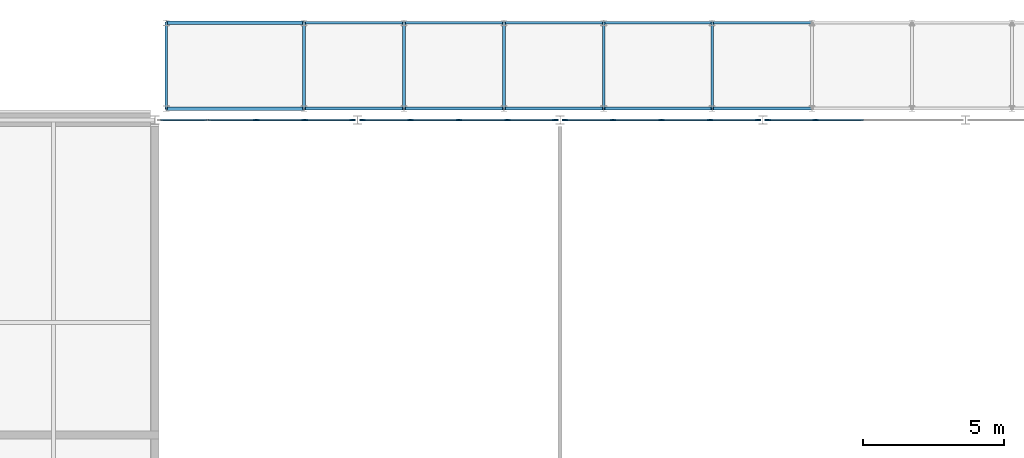
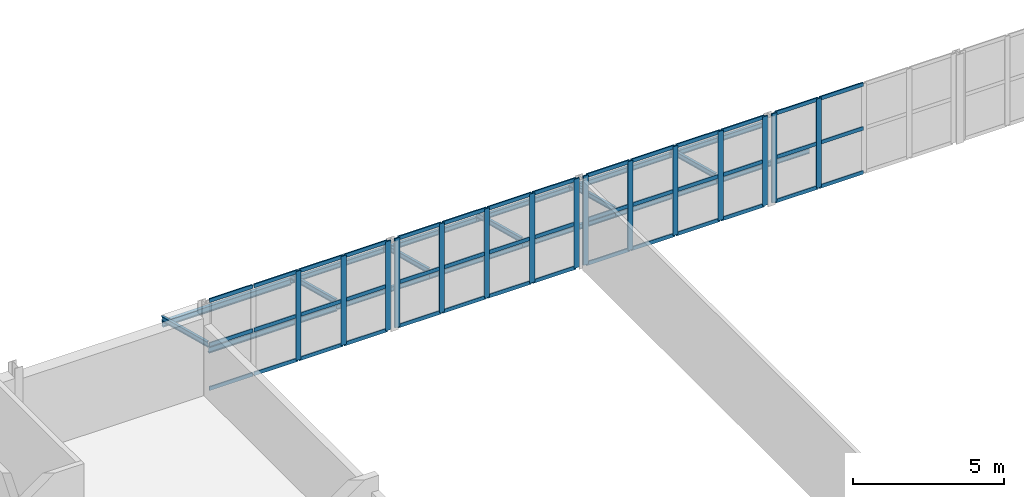
# One storey, part 50 of 124: 57 members, 18 beams, 4 elements without a shape of their own.
"""IFC4 building model written with IfcOpenShell, lengths in metres."""

from ifc_helpers import new_model, si_unit, direction, frame, origin, origin_2d, place, context, subcontext, project, spatial, rectangle, i_section, extrude, material, material_profile, profile_set, type_object, element, aggregate, save


model = new_model("IFC4")

# Units and contexts
model_context = context("Model", 3, precision=1e-05, world=origin(), true_north=direction((0.0, 1.0)))
body_context = subcontext(model_context, "Body", "Model", "MODEL_VIEW")
ifc_project = project(units=[si_unit("LENGTHUNIT", "METRE"), si_unit("AREAUNIT", "SQUARE_METRE"), si_unit("VOLUMEUNIT", "CUBIC_METRE"), si_unit("PLANEANGLEUNIT", "RADIAN"), si_unit("MASSUNIT", "GRAM", prefix="KILO")], contexts=[model_context])

# Site, building, storey
site_placement = place(None, origin())
site = spatial("IfcSite", under=ifc_project, at=site_placement, CompositionType="ELEMENT")
building_placement = place(site_placement, origin())
building = spatial("IfcBuilding", under=site, at=building_placement, Name="Kupolbacken Congress Centre", CompositionType="ELEMENT")
storey_placement = place(building_placement, frame((0.0, 0.0, 10.800048828125)))
storey = spatial("IfcBuildingStorey", under=building, at=storey_placement, Name="L03", CompositionType="ELEMENT", Elevation=10.800048828125)

# Beams
ifc_material_1 = material(Name="Steel S355", Category="steel")
ifc_material_profile_1 = material_profile(ifc_material_1, i_section(OverallWidth=0.10009765625, OverallDepth=0.199951171875, WebThickness=0.005615234375, FlangeThickness=0.008544921875, FilletRadius=0.011962890625, at=origin_2d()), Name="IPE 200")
ifc_profile_set_1 = profile_set([ifc_material_profile_1], Name="Steel S355")
beam_type_1 = type_object("IfcBeamType", Name="B01 beam IPE 200", PredefinedType="BEAM", material=ifc_profile_set_1)
for number, where, z_axis, x_axis, name in (
    (1, (156.5, 151.60009765625, 1.300048828125), (1.0, 0.0, 0.0), (0.0, 1.0, 0.0), "Covered passage eaves beam"),
    (2, (156.5, 154.64990234375, 0.5), (1.0, 0.0, 0.0), (0.0, 1.0, 0.0), "Covered passage eaves beam"),
    (3, (160.050048828125, 151.60009765625, 1.300048828125), (1.0, 0.0, 0.0), (0.0, 1.0, 0.0), "Covered passage eaves beam"),
    (4, (160.050048828125, 154.64990234375, 0.5), (1.0, 0.0, 0.0), (0.0, 1.0, 0.0), "Covered passage eaves beam"),
):
    element("IfcBeam", number, at=place(storey_placement, frame(where, z_axis=z_axis, x_axis=x_axis)), inside=storey, type_object=beam_type_1, Name=name, PredefinedType="BEAM", context=body_context, shape_type="SweptSolid", body=[
        extrude(i_section(OverallWidth=0.10009765625, OverallDepth=0.199951171875, WebThickness=0.005615234375, FlangeThickness=0.008544921875, FilletRadius=0.011962890625, at=origin_2d()), origin(), (0.0, 0.0, 1.0), 3.550048828125),
    ])
for number, where, z_axis, x_axis, name in (
    (5, (163.60009765625, 151.60009765625, 1.300048828125), (1.0, 0.0, 0.0), (0.0, 1.0, 0.0), "Covered passage eaves beam"),
    (6, (163.60009765625, 154.64990234375, 0.5), (1.0, 0.0, 0.0), (0.0, 1.0, 0.0), "Covered passage eaves beam"),
):
    element("IfcBeam", number, at=place(storey_placement, frame(where, z_axis=z_axis, x_axis=x_axis)), inside=storey, type_object=beam_type_1, Name=name, PredefinedType="BEAM", context=body_context, shape_type="SweptSolid", body=[
        extrude(i_section(OverallWidth=0.10009765625, OverallDepth=0.199951171875, WebThickness=0.005615234375, FlangeThickness=0.008544921875, FilletRadius=0.011962890625, at=origin_2d()), origin(), (0.0, 0.0, 1.0), 3.5498046875),
    ])
for number, where, z_axis, x_axis, name in (
    (7, (167.14990234375, 151.60009765625, 1.300048828125), (1.0, 0.0, 0.0), (0.0, 1.0, 0.0), "Covered passage eaves beam"),
    (8, (167.14990234375, 154.64990234375, 0.5), (1.0, 0.0, 0.0), (0.0, 1.0, 0.0), "Covered passage eaves beam"),
):
    element("IfcBeam", number, at=place(storey_placement, frame(where, z_axis=z_axis, x_axis=x_axis)), inside=storey, type_object=beam_type_1, Name=name, PredefinedType="BEAM", context=body_context, shape_type="SweptSolid", body=[
        extrude(i_section(OverallWidth=0.10009765625, OverallDepth=0.199951171875, WebThickness=0.005615234375, FlangeThickness=0.008544921875, FilletRadius=0.011962890625, at=origin_2d()), origin(), (0.0, 0.0, 1.0), 3.85009765625),
    ])
for number, where, z_axis, x_axis, name in (
    (9, (171.0, 151.60009765625, 1.300048828125), (1.0, 0.0, 0.0), (0.0, 1.0, 0.0), "Covered passage eaves beam"),
    (10, (171.0, 154.64990234375, 0.5), (1.0, 0.0, 0.0), (0.0, 1.0, 0.0), "Covered passage eaves beam"),
):
    element("IfcBeam", number, at=place(storey_placement, frame(where, z_axis=z_axis, x_axis=x_axis)), inside=storey, type_object=beam_type_1, Name=name, PredefinedType="BEAM", context=body_context, shape_type="SweptSolid", body=[
        extrude(i_section(OverallWidth=0.10009765625, OverallDepth=0.199951171875, WebThickness=0.005615234375, FlangeThickness=0.008544921875, FilletRadius=0.011962890625, at=origin_2d()), origin(), (0.0, 0.0, 1.0), 3.550048828125),
    ])
for number, where, z_axis, x_axis, name in (
    (11, (151.60009765625, 151.60009765625, 1.5), (0.0, 0.967271836025, -0.253742379655), (-1.0, 0.0, 0.0), "Covered passage rafter"),
    (12, (156.5, 151.60009765625, 1.5), (0.0, 0.967271836025, -0.253742379655), (-1.0, 0.0, 0.0), "Covered passage rafter"),
    (13, (160.050048828125, 151.60009765625, 1.5), (0.0, 0.967271836025, -0.253742379655), (-1.0, 0.0, 0.0), "Covered passage rafter"),
    (14, (163.60009765625, 151.60009765625, 1.5), (0.0, 0.967271836025, -0.253742379655), (-1.0, 0.0, 0.0), "Covered passage rafter"),
    (15, (167.14990234375, 151.60009765625, 1.5), (0.0, 0.967271836025, -0.253742379655), (-1.0, 0.0, 0.0), "Covered passage rafter"),
    (16, (171.0, 151.60009765625, 1.5), (0.0, 0.967271836025, -0.253742379655), (-1.0, 0.0, 0.0), "Covered passage rafter"),
):
    element("IfcBeam", number, at=place(storey_placement, frame(where, z_axis=z_axis, x_axis=x_axis)), inside=storey, type_object=beam_type_1, Name=name, PredefinedType="BEAM", context=body_context, shape_type="SweptSolid", body=[
        extrude(i_section(OverallWidth=0.10009765625, OverallDepth=0.199951171875, WebThickness=0.005615234375, FlangeThickness=0.008544921875, FilletRadius=0.011962890625, at=origin_2d()), origin(), (0.0, 0.0, 1.0), 3.153076171875),
    ])
ifc_material_2 = material(Name="Steel S355", Category="steel")
ifc_material_profile_2 = material_profile(ifc_material_2, i_section(OverallWidth=0.1201171875, OverallDepth=0.239990234375, WebThickness=0.006103515625, FlangeThickness=0.009765625, FilletRadius=0.014892578125, at=origin_2d()), Name="IPE 240")
ifc_profile_set_2 = profile_set([ifc_material_profile_2], Name="Steel S355")
beam_type_2 = type_object("IfcBeamType", Name="B02 beam IPE 240", PredefinedType="BEAM", material=ifc_profile_set_2)
for number, where, z_axis, x_axis, name in (
    (17, (151.60009765625, 151.60009765625, 1.280029296875), (1.0, 0.0, 0.0), (0.0, 1.0, 0.0), "Covered passage eaves beam"),
    (18, (151.60009765625, 154.64990234375, 0.47998046875), (1.0, 0.0, 0.0), (0.0, 1.0, 0.0), "Covered passage eaves beam"),
):
    element("IfcBeam", number, at=place(storey_placement, frame(where, z_axis=z_axis, x_axis=x_axis)), inside=storey, type_object=beam_type_2, Name=name, PredefinedType="BEAM", context=body_context, shape_type="SweptSolid", body=[
        extrude(i_section(OverallWidth=0.1201171875, OverallDepth=0.239990234375, WebThickness=0.006103515625, FlangeThickness=0.009765625, FilletRadius=0.014892578125, at=origin_2d()), origin(), (0.0, 0.0, 1.0), 4.89990234375),
    ])

# Curtain wall, members
ifc_material_3 = material(Name="Aluminium mullion-transom frame with glass", Category="aluminium")
curtain_wall_type = type_object("IfcCurtainWallType", Name="CW1 curtain wall 7200x3600", PredefinedType="NOTDEFINED", material=ifc_material_3)
curtain_wall_1_placement = place(storey_placement, origin())
curtain_wall_1 = element("IfcCurtainWall", 19, at=curtain_wall_1_placement, inside=storey, type_object=curtain_wall_type, Name="E/B/N/L03/304", PredefinedType="NOTDEFINED")
ifc_material_4 = material(Name="Aluminium alloy", Category="aluminium")
ifc_material_profile_3 = material_profile(ifc_material_4, rectangle(XDim=0.050048828125, YDim=0.199951171875, at=origin_2d()), Name="50 x 200")
ifc_profile_set_3 = profile_set([ifc_material_profile_3], Name="Aluminium alloy")
member_type_1 = type_object("IfcMemberType", Name="MU2 mullion 50x200", PredefinedType="MULLION", material=ifc_profile_set_3)
member_1_placement = place(storey_placement, frame((174.675048828125, 151.199951171875, 0.0), z_axis=(0.0, 0.0, 1.0), x_axis=(0.0, -1.0, 0.0)))
member_1 = element("IfcMember", 20, at=member_1_placement, type_object=member_type_1, Name="CW1 mullion 4", PredefinedType="MULLION", context=body_context, shape_type="SweptSolid", body=[
    extrude(rectangle(XDim=0.050048828125, YDim=0.199951171875, at=origin_2d()), origin(), (0.0, 0.0, 1.0), 3.599853515625),
])
member_2_placement = place(storey_placement, frame((172.97509765625, 151.199951171875, 0.0), z_axis=(0.0, 0.0, 1.0), x_axis=(0.0, -1.0, 0.0)))
member_2 = element("IfcMember", 21, at=member_2_placement, type_object=member_type_1, Name="CW1 mullion 5", PredefinedType="MULLION", context=body_context, shape_type="SweptSolid", body=[
    extrude(rectangle(XDim=0.050048828125, YDim=0.199951171875, at=origin_2d()), origin(), (0.0, 0.0, 1.0), 3.599853515625),
])

curtain_wall_2_placement = place(storey_placement, origin())
curtain_wall_2 = element("IfcCurtainWall", 22, at=curtain_wall_2_placement, inside=storey, type_object=curtain_wall_type, Name="E/B/N/L03/305", PredefinedType="NOTDEFINED")
member_3_placement = place(storey_placement, frame((172.625, 151.199951171875, 0.0), z_axis=(0.0, 0.0, 1.0), x_axis=(0.0, -1.0, 0.0)))
member_3 = element("IfcMember", 23, at=member_3_placement, type_object=member_type_1, Name="CW1 mullion 1", PredefinedType="MULLION", context=body_context, shape_type="SweptSolid", body=[
    extrude(rectangle(XDim=0.050048828125, YDim=0.199951171875, at=origin_2d()), origin(), (0.0, 0.0, 1.0), 3.599853515625),
])
member_4_placement = place(storey_placement, frame((170.925048828125, 151.199951171875, 0.0), z_axis=(0.0, 0.0, 1.0), x_axis=(0.0, -1.0, 0.0)))
member_4 = element("IfcMember", 24, at=member_4_placement, type_object=member_type_1, Name="CW1 mullion 2", PredefinedType="MULLION", context=body_context, shape_type="SweptSolid", body=[
    extrude(rectangle(XDim=0.050048828125, YDim=0.199951171875, at=origin_2d()), origin(), (0.0, 0.0, 1.0), 3.599853515625),
])
member_5_placement = place(storey_placement, frame((169.199951171875, 151.199951171875, 0.0), z_axis=(0.0, 0.0, 1.0), x_axis=(0.0, -1.0, 0.0)))
member_5 = element("IfcMember", 25, at=member_5_placement, type_object=member_type_1, Name="CW1 mullion 3", PredefinedType="MULLION", context=body_context, shape_type="SweptSolid", body=[
    extrude(rectangle(XDim=0.050048828125, YDim=0.199951171875, at=origin_2d()), origin(), (0.0, 0.0, 1.0), 3.599853515625),
])
member_6_placement = place(storey_placement, frame((167.47509765625, 151.199951171875, 0.0), z_axis=(0.0, 0.0, 1.0), x_axis=(0.0, -1.0, 0.0)))
member_6 = element("IfcMember", 26, at=member_6_placement, type_object=member_type_1, Name="CW1 mullion 4", PredefinedType="MULLION", context=body_context, shape_type="SweptSolid", body=[
    extrude(rectangle(XDim=0.050048828125, YDim=0.199951171875, at=origin_2d()), origin(), (0.0, 0.0, 1.0), 3.599853515625),
])
member_7_placement = place(storey_placement, frame((165.77490234375, 151.199951171875, 0.0), z_axis=(0.0, 0.0, 1.0), x_axis=(0.0, -1.0, 0.0)))
member_7 = element("IfcMember", 27, at=member_7_placement, type_object=member_type_1, Name="CW1 mullion 5", PredefinedType="MULLION", context=body_context, shape_type="SweptSolid", body=[
    extrude(rectangle(XDim=0.050048828125, YDim=0.199951171875, at=origin_2d()), origin(), (0.0, 0.0, 1.0), 3.599853515625),
])

curtain_wall_3_placement = place(storey_placement, origin())
curtain_wall_3 = element("IfcCurtainWall", 28, at=curtain_wall_3_placement, inside=storey, type_object=curtain_wall_type, Name="E/B/N/L03/306", PredefinedType="NOTDEFINED")
member_8_placement = place(storey_placement, frame((165.425048828125, 151.199951171875, 0.0), z_axis=(0.0, 0.0, 1.0), x_axis=(0.0, -1.0, 0.0)))
member_8 = element("IfcMember", 29, at=member_8_placement, type_object=member_type_1, Name="CW1 mullion 1", PredefinedType="MULLION", context=body_context, shape_type="SweptSolid", body=[
    extrude(rectangle(XDim=0.050048828125, YDim=0.199951171875, at=origin_2d()), origin(), (0.0, 0.0, 1.0), 3.599853515625),
])
member_9_placement = place(storey_placement, frame((163.72509765625, 151.199951171875, 0.0), z_axis=(0.0, 0.0, 1.0), x_axis=(0.0, -1.0, 0.0)))
member_9 = element("IfcMember", 30, at=member_9_placement, type_object=member_type_1, Name="CW1 mullion 2", PredefinedType="MULLION", context=body_context, shape_type="SweptSolid", body=[
    extrude(rectangle(XDim=0.050048828125, YDim=0.199951171875, at=origin_2d()), origin(), (0.0, 0.0, 1.0), 3.599853515625),
])
member_10_placement = place(storey_placement, frame((162.0, 151.199951171875, 0.0), z_axis=(0.0, 0.0, 1.0), x_axis=(0.0, -1.0, 0.0)))
member_10 = element("IfcMember", 31, at=member_10_placement, type_object=member_type_1, Name="CW1 mullion 3", PredefinedType="MULLION", context=body_context, shape_type="SweptSolid", body=[
    extrude(rectangle(XDim=0.050048828125, YDim=0.199951171875, at=origin_2d()), origin(), (0.0, 0.0, 1.0), 3.599853515625),
])
member_11_placement = place(storey_placement, frame((160.27490234375, 151.199951171875, 0.0), z_axis=(0.0, 0.0, 1.0), x_axis=(0.0, -1.0, 0.0)))
member_11 = element("IfcMember", 32, at=member_11_placement, type_object=member_type_1, Name="CW1 mullion 4", PredefinedType="MULLION", context=body_context, shape_type="SweptSolid", body=[
    extrude(rectangle(XDim=0.050048828125, YDim=0.199951171875, at=origin_2d()), origin(), (0.0, 0.0, 1.0), 3.599853515625),
])
member_12_placement = place(storey_placement, frame((158.574951171875, 151.199951171875, 0.0), z_axis=(0.0, 0.0, 1.0), x_axis=(0.0, -1.0, 0.0)))
member_12 = element("IfcMember", 33, at=member_12_placement, type_object=member_type_1, Name="CW1 mullion 5", PredefinedType="MULLION", context=body_context, shape_type="SweptSolid", body=[
    extrude(rectangle(XDim=0.050048828125, YDim=0.199951171875, at=origin_2d()), origin(), (0.0, 0.0, 1.0), 3.599853515625),
])

curtain_wall_4_placement = place(storey_placement, origin())
curtain_wall_4 = element("IfcCurtainWall", 34, at=curtain_wall_4_placement, inside=storey, type_object=curtain_wall_type, Name="E/B/N/L03/307", PredefinedType="NOTDEFINED")
member_13_placement = place(storey_placement, frame((158.22509765625, 151.199951171875, 0.0), z_axis=(0.0, 0.0, 1.0), x_axis=(0.0, -1.0, 0.0)))
member_13 = element("IfcMember", 35, at=member_13_placement, type_object=member_type_1, Name="CW1 mullion 1", PredefinedType="MULLION", context=body_context, shape_type="SweptSolid", body=[
    extrude(rectangle(XDim=0.050048828125, YDim=0.199951171875, at=origin_2d()), origin(), (0.0, 0.0, 1.0), 3.599853515625),
])
member_14_placement = place(storey_placement, frame((156.52490234375, 151.199951171875, 0.0), z_axis=(0.0, 0.0, 1.0), x_axis=(0.0, -1.0, 0.0)))
member_14 = element("IfcMember", 36, at=member_14_placement, type_object=member_type_1, Name="CW1 mullion 2", PredefinedType="MULLION", context=body_context, shape_type="SweptSolid", body=[
    extrude(rectangle(XDim=0.050048828125, YDim=0.199951171875, at=origin_2d()), origin(), (0.0, 0.0, 1.0), 3.599853515625),
])
member_15_placement = place(storey_placement, frame((154.800048828125, 151.199951171875, 0.0), z_axis=(0.0, 0.0, 1.0), x_axis=(0.0, -1.0, 0.0)))
member_15 = element("IfcMember", 37, at=member_15_placement, type_object=member_type_1, Name="CW1 mullion 3", PredefinedType="MULLION", context=body_context, shape_type="SweptSolid", body=[
    extrude(rectangle(XDim=0.050048828125, YDim=0.199951171875, at=origin_2d()), origin(), (0.0, 0.0, 1.0), 3.599853515625),
])

# Member
ifc_material_5 = material(Name="Aluminium alloy", Category="aluminium")
ifc_material_profile_4 = material_profile(ifc_material_5, rectangle(XDim=0.050048828125, YDim=0.14990234375, at=origin_2d()), Name="50 x 150")
ifc_profile_set_4 = profile_set([ifc_material_profile_4], Name="Aluminium alloy")
member_type_2 = type_object("IfcMemberType", Name="TR2 transom 50x150", PredefinedType="MULLION", material=ifc_profile_set_4)
member_16_placement = place(storey_placement, frame((176.375, 151.199951171875, 0.02490234375), z_axis=(-1.0, 0.0, 0.0), x_axis=(0.0, -1.0, 0.0)))
member_16 = element("IfcMember", 38, at=member_16_placement, type_object=member_type_2, Name="CW1 transom 3.1", PredefinedType="MULLION", context=body_context, shape_type="SweptSolid", body=[
    extrude(rectangle(XDim=0.050048828125, YDim=0.14990234375, at=origin_2d()), origin(), (0.0, 0.0, 1.0), 1.675048828125),
])

member_17_placement = place(storey_placement, frame((176.375, 151.199951171875, 1.800048828125), z_axis=(-1.0, 0.0, 0.0), x_axis=(0.0, -1.0, 0.0)))
member_17 = element("IfcMember", 39, at=member_17_placement, type_object=member_type_2, Name="CW1 transom 3.2", PredefinedType="MULLION", context=body_context, shape_type="SweptSolid", body=[
    extrude(rectangle(XDim=0.050048828125, YDim=0.14990234375, at=origin_2d()), origin(), (0.0, 0.0, 1.0), 1.675048828125),
])

member_18_placement = place(storey_placement, frame((176.375, 151.199951171875, 3.574951171875), z_axis=(-1.0, 0.0, 0.0), x_axis=(0.0, -1.0, 0.0)))
member_18 = element("IfcMember", 40, at=member_18_placement, type_object=member_type_2, Name="CW1 transom 3.3", PredefinedType="MULLION", context=body_context, shape_type="SweptSolid", body=[
    extrude(rectangle(XDim=0.050048828125, YDim=0.14990234375, at=origin_2d()), origin(), (0.0, 0.0, 1.0), 1.675048828125),
])

member_19_placement = place(storey_placement, frame((174.64990234375, 151.199951171875, 0.02490234375), z_axis=(-1.0, 0.0, 0.0), x_axis=(0.0, -1.0, 0.0)))
member_19 = element("IfcMember", 41, at=member_19_placement, type_object=member_type_2, Name="CW1 transom 4.1", PredefinedType="MULLION", context=body_context, shape_type="SweptSolid", body=[
    extrude(rectangle(XDim=0.050048828125, YDim=0.14990234375, at=origin_2d()), origin(), (0.0, 0.0, 1.0), 1.64990234375),
])

member_20_placement = place(storey_placement, frame((174.64990234375, 151.199951171875, 1.800048828125), z_axis=(-1.0, 0.0, 0.0), x_axis=(0.0, -1.0, 0.0)))
member_20 = element("IfcMember", 42, at=member_20_placement, type_object=member_type_2, Name="CW1 transom 4.2", PredefinedType="MULLION", context=body_context, shape_type="SweptSolid", body=[
    extrude(rectangle(XDim=0.050048828125, YDim=0.14990234375, at=origin_2d()), origin(), (0.0, 0.0, 1.0), 1.64990234375),
])

member_21_placement = place(storey_placement, frame((174.64990234375, 151.199951171875, 3.574951171875), z_axis=(-1.0, 0.0, 0.0), x_axis=(0.0, -1.0, 0.0)))
member_21 = element("IfcMember", 43, at=member_21_placement, type_object=member_type_2, Name="CW1 transom 4.3", PredefinedType="MULLION", context=body_context, shape_type="SweptSolid", body=[
    extrude(rectangle(XDim=0.050048828125, YDim=0.14990234375, at=origin_2d()), origin(), (0.0, 0.0, 1.0), 1.64990234375),
])

aggregate(curtain_wall_1, [member_1, member_2, member_16, member_17, member_18, member_19, member_20, member_21])

member_22_placement = place(storey_placement, frame((172.60009765625, 151.199951171875, 0.02490234375), z_axis=(-1.0, 0.0, 0.0), x_axis=(0.0, -1.0, 0.0)))
member_22 = element("IfcMember", 44, at=member_22_placement, type_object=member_type_2, Name="CW1 transom 1.1", PredefinedType="MULLION", context=body_context, shape_type="SweptSolid", body=[
    extrude(rectangle(XDim=0.050048828125, YDim=0.14990234375, at=origin_2d()), origin(), (0.0, 0.0, 1.0), 1.650146484375),
])

member_23_placement = place(storey_placement, frame((172.60009765625, 151.199951171875, 1.800048828125), z_axis=(-1.0, 0.0, 0.0), x_axis=(0.0, -1.0, 0.0)))
member_23 = element("IfcMember", 45, at=member_23_placement, type_object=member_type_2, Name="CW1 transom 1.2", PredefinedType="MULLION", context=body_context, shape_type="SweptSolid", body=[
    extrude(rectangle(XDim=0.050048828125, YDim=0.14990234375, at=origin_2d()), origin(), (0.0, 0.0, 1.0), 1.650146484375),
])

member_24_placement = place(storey_placement, frame((172.60009765625, 151.199951171875, 3.574951171875), z_axis=(-1.0, 0.0, 0.0), x_axis=(0.0, -1.0, 0.0)))
member_24 = element("IfcMember", 46, at=member_24_placement, type_object=member_type_2, Name="CW1 transom 1.3", PredefinedType="MULLION", context=body_context, shape_type="SweptSolid", body=[
    extrude(rectangle(XDim=0.050048828125, YDim=0.14990234375, at=origin_2d()), origin(), (0.0, 0.0, 1.0), 1.650146484375),
])

member_25_placement = place(storey_placement, frame((170.89990234375, 151.199951171875, 0.02490234375), z_axis=(-1.0, 0.0, 0.0), x_axis=(0.0, -1.0, 0.0)))
member_25 = element("IfcMember", 47, at=member_25_placement, type_object=member_type_2, Name="CW1 transom 2.1", PredefinedType="MULLION", context=body_context, shape_type="SweptSolid", body=[
    extrude(rectangle(XDim=0.050048828125, YDim=0.14990234375, at=origin_2d()), origin(), (0.0, 0.0, 1.0), 1.6748046875),
])

member_26_placement = place(storey_placement, frame((170.89990234375, 151.199951171875, 1.800048828125), z_axis=(-1.0, 0.0, 0.0), x_axis=(0.0, -1.0, 0.0)))
member_26 = element("IfcMember", 48, at=member_26_placement, type_object=member_type_2, Name="CW1 transom 2.2", PredefinedType="MULLION", context=body_context, shape_type="SweptSolid", body=[
    extrude(rectangle(XDim=0.050048828125, YDim=0.14990234375, at=origin_2d()), origin(), (0.0, 0.0, 1.0), 1.6748046875),
])

member_27_placement = place(storey_placement, frame((170.89990234375, 151.199951171875, 3.574951171875), z_axis=(-1.0, 0.0, 0.0), x_axis=(0.0, -1.0, 0.0)))
member_27 = element("IfcMember", 49, at=member_27_placement, type_object=member_type_2, Name="CW1 transom 2.3", PredefinedType="MULLION", context=body_context, shape_type="SweptSolid", body=[
    extrude(rectangle(XDim=0.050048828125, YDim=0.14990234375, at=origin_2d()), origin(), (0.0, 0.0, 1.0), 1.6748046875),
])

member_28_placement = place(storey_placement, frame((169.175048828125, 151.199951171875, 0.02490234375), z_axis=(-1.0, 0.0, 0.0), x_axis=(0.0, -1.0, 0.0)))
member_28 = element("IfcMember", 50, at=member_28_placement, type_object=member_type_2, Name="CW1 transom 3.1", PredefinedType="MULLION", context=body_context, shape_type="SweptSolid", body=[
    extrude(rectangle(XDim=0.050048828125, YDim=0.14990234375, at=origin_2d()), origin(), (0.0, 0.0, 1.0), 1.675048828125),
])

member_29_placement = place(storey_placement, frame((169.175048828125, 151.199951171875, 1.800048828125), z_axis=(-1.0, 0.0, 0.0), x_axis=(0.0, -1.0, 0.0)))
member_29 = element("IfcMember", 51, at=member_29_placement, type_object=member_type_2, Name="CW1 transom 3.2", PredefinedType="MULLION", context=body_context, shape_type="SweptSolid", body=[
    extrude(rectangle(XDim=0.050048828125, YDim=0.14990234375, at=origin_2d()), origin(), (0.0, 0.0, 1.0), 1.675048828125),
])

member_30_placement = place(storey_placement, frame((169.175048828125, 151.199951171875, 3.574951171875), z_axis=(-1.0, 0.0, 0.0), x_axis=(0.0, -1.0, 0.0)))
member_30 = element("IfcMember", 52, at=member_30_placement, type_object=member_type_2, Name="CW1 transom 3.3", PredefinedType="MULLION", context=body_context, shape_type="SweptSolid", body=[
    extrude(rectangle(XDim=0.050048828125, YDim=0.14990234375, at=origin_2d()), origin(), (0.0, 0.0, 1.0), 1.675048828125),
])

member_31_placement = place(storey_placement, frame((167.449951171875, 151.199951171875, 0.02490234375), z_axis=(-1.0, 0.0, 0.0), x_axis=(0.0, -1.0, 0.0)))
member_31 = element("IfcMember", 53, at=member_31_placement, type_object=member_type_2, Name="CW1 transom 4.1", PredefinedType="MULLION", context=body_context, shape_type="SweptSolid", body=[
    extrude(rectangle(XDim=0.050048828125, YDim=0.14990234375, at=origin_2d()), origin(), (0.0, 0.0, 1.0), 1.64990234375),
])

member_32_placement = place(storey_placement, frame((167.449951171875, 151.199951171875, 1.800048828125), z_axis=(-1.0, 0.0, 0.0), x_axis=(0.0, -1.0, 0.0)))
member_32 = element("IfcMember", 54, at=member_32_placement, type_object=member_type_2, Name="CW1 transom 4.2", PredefinedType="MULLION", context=body_context, shape_type="SweptSolid", body=[
    extrude(rectangle(XDim=0.050048828125, YDim=0.14990234375, at=origin_2d()), origin(), (0.0, 0.0, 1.0), 1.64990234375),
])

member_33_placement = place(storey_placement, frame((167.449951171875, 151.199951171875, 3.574951171875), z_axis=(-1.0, 0.0, 0.0), x_axis=(0.0, -1.0, 0.0)))
member_33 = element("IfcMember", 55, at=member_33_placement, type_object=member_type_2, Name="CW1 transom 4.3", PredefinedType="MULLION", context=body_context, shape_type="SweptSolid", body=[
    extrude(rectangle(XDim=0.050048828125, YDim=0.14990234375, at=origin_2d()), origin(), (0.0, 0.0, 1.0), 1.64990234375),
])

aggregate(curtain_wall_2, [member_3, member_4, member_5, member_6, member_7, member_22, member_23, member_24, member_25, member_26, member_27, member_28, member_29, member_30, member_31, member_32, member_33])

member_34_placement = place(storey_placement, frame((165.39990234375, 151.199951171875, 0.02490234375), z_axis=(-1.0, 0.0, 0.0), x_axis=(0.0, -1.0, 0.0)))
member_34 = element("IfcMember", 56, at=member_34_placement, type_object=member_type_2, Name="CW1 transom 1.1", PredefinedType="MULLION", context=body_context, shape_type="SweptSolid", body=[
    extrude(rectangle(XDim=0.050048828125, YDim=0.14990234375, at=origin_2d()), origin(), (0.0, 0.0, 1.0), 1.64990234375),
])

member_35_placement = place(storey_placement, frame((165.39990234375, 151.199951171875, 1.800048828125), z_axis=(-1.0, 0.0, 0.0), x_axis=(0.0, -1.0, 0.0)))
member_35 = element("IfcMember", 57, at=member_35_placement, type_object=member_type_2, Name="CW1 transom 1.2", PredefinedType="MULLION", context=body_context, shape_type="SweptSolid", body=[
    extrude(rectangle(XDim=0.050048828125, YDim=0.14990234375, at=origin_2d()), origin(), (0.0, 0.0, 1.0), 1.64990234375),
])

member_36_placement = place(storey_placement, frame((165.39990234375, 151.199951171875, 3.574951171875), z_axis=(-1.0, 0.0, 0.0), x_axis=(0.0, -1.0, 0.0)))
member_36 = element("IfcMember", 58, at=member_36_placement, type_object=member_type_2, Name="CW1 transom 1.3", PredefinedType="MULLION", context=body_context, shape_type="SweptSolid", body=[
    extrude(rectangle(XDim=0.050048828125, YDim=0.14990234375, at=origin_2d()), origin(), (0.0, 0.0, 1.0), 1.64990234375),
])

member_37_placement = place(storey_placement, frame((163.699951171875, 151.199951171875, 0.02490234375), z_axis=(-1.0, 0.0, 0.0), x_axis=(0.0, -1.0, 0.0)))
member_37 = element("IfcMember", 59, at=member_37_placement, type_object=member_type_2, Name="CW1 transom 2.1", PredefinedType="MULLION", context=body_context, shape_type="SweptSolid", body=[
    extrude(rectangle(XDim=0.050048828125, YDim=0.14990234375, at=origin_2d()), origin(), (0.0, 0.0, 1.0), 1.675048828125),
])

member_38_placement = place(storey_placement, frame((163.699951171875, 151.199951171875, 1.800048828125), z_axis=(-1.0, 0.0, 0.0), x_axis=(0.0, -1.0, 0.0)))
member_38 = element("IfcMember", 60, at=member_38_placement, type_object=member_type_2, Name="CW1 transom 2.2", PredefinedType="MULLION", context=body_context, shape_type="SweptSolid", body=[
    extrude(rectangle(XDim=0.050048828125, YDim=0.14990234375, at=origin_2d()), origin(), (0.0, 0.0, 1.0), 1.675048828125),
])

member_39_placement = place(storey_placement, frame((163.699951171875, 151.199951171875, 3.574951171875), z_axis=(-1.0, 0.0, 0.0), x_axis=(0.0, -1.0, 0.0)))
member_39 = element("IfcMember", 61, at=member_39_placement, type_object=member_type_2, Name="CW1 transom 2.3", PredefinedType="MULLION", context=body_context, shape_type="SweptSolid", body=[
    extrude(rectangle(XDim=0.050048828125, YDim=0.14990234375, at=origin_2d()), origin(), (0.0, 0.0, 1.0), 1.675048828125),
])

member_40_placement = place(storey_placement, frame((161.97509765625, 151.199951171875, 0.02490234375), z_axis=(-1.0, 0.0, 0.0), x_axis=(0.0, -1.0, 0.0)))
member_40 = element("IfcMember", 62, at=member_40_placement, type_object=member_type_2, Name="CW1 transom 3.1", PredefinedType="MULLION", context=body_context, shape_type="SweptSolid", body=[
    extrude(rectangle(XDim=0.050048828125, YDim=0.14990234375, at=origin_2d()), origin(), (0.0, 0.0, 1.0), 1.675048828125),
])

member_41_placement = place(storey_placement, frame((161.97509765625, 151.199951171875, 1.800048828125), z_axis=(-1.0, 0.0, 0.0), x_axis=(0.0, -1.0, 0.0)))
member_41 = element("IfcMember", 63, at=member_41_placement, type_object=member_type_2, Name="CW1 transom 3.2", PredefinedType="MULLION", context=body_context, shape_type="SweptSolid", body=[
    extrude(rectangle(XDim=0.050048828125, YDim=0.14990234375, at=origin_2d()), origin(), (0.0, 0.0, 1.0), 1.675048828125),
])

member_42_placement = place(storey_placement, frame((161.97509765625, 151.199951171875, 3.574951171875), z_axis=(-1.0, 0.0, 0.0), x_axis=(0.0, -1.0, 0.0)))
member_42 = element("IfcMember", 64, at=member_42_placement, type_object=member_type_2, Name="CW1 transom 3.3", PredefinedType="MULLION", context=body_context, shape_type="SweptSolid", body=[
    extrude(rectangle(XDim=0.050048828125, YDim=0.14990234375, at=origin_2d()), origin(), (0.0, 0.0, 1.0), 1.675048828125),
])

member_43_placement = place(storey_placement, frame((160.25, 151.199951171875, 0.02490234375), z_axis=(-1.0, 0.0, 0.0), x_axis=(0.0, -1.0, 0.0)))
member_43 = element("IfcMember", 65, at=member_43_placement, type_object=member_type_2, Name="CW1 transom 4.1", PredefinedType="MULLION", context=body_context, shape_type="SweptSolid", body=[
    extrude(rectangle(XDim=0.050048828125, YDim=0.14990234375, at=origin_2d()), origin(), (0.0, 0.0, 1.0), 1.64990234375),
])

member_44_placement = place(storey_placement, frame((160.25, 151.199951171875, 1.800048828125), z_axis=(-1.0, 0.0, 0.0), x_axis=(0.0, -1.0, 0.0)))
member_44 = element("IfcMember", 66, at=member_44_placement, type_object=member_type_2, Name="CW1 transom 4.2", PredefinedType="MULLION", context=body_context, shape_type="SweptSolid", body=[
    extrude(rectangle(XDim=0.050048828125, YDim=0.14990234375, at=origin_2d()), origin(), (0.0, 0.0, 1.0), 1.64990234375),
])

member_45_placement = place(storey_placement, frame((160.25, 151.199951171875, 3.574951171875), z_axis=(-1.0, 0.0, 0.0), x_axis=(0.0, -1.0, 0.0)))
member_45 = element("IfcMember", 67, at=member_45_placement, type_object=member_type_2, Name="CW1 transom 4.3", PredefinedType="MULLION", context=body_context, shape_type="SweptSolid", body=[
    extrude(rectangle(XDim=0.050048828125, YDim=0.14990234375, at=origin_2d()), origin(), (0.0, 0.0, 1.0), 1.64990234375),
])

aggregate(curtain_wall_3, [member_8, member_9, member_10, member_11, member_12, member_34, member_35, member_36, member_37, member_38, member_39, member_40, member_41, member_42, member_43, member_44, member_45])

member_46_placement = place(storey_placement, frame((158.199951171875, 151.199951171875, 0.02490234375), z_axis=(-1.0, 0.0, 0.0), x_axis=(0.0, -1.0, 0.0)))
member_46 = element("IfcMember", 68, at=member_46_placement, type_object=member_type_2, Name="CW1 transom 1.1", PredefinedType="MULLION", context=body_context, shape_type="SweptSolid", body=[
    extrude(rectangle(XDim=0.050048828125, YDim=0.14990234375, at=origin_2d()), origin(), (0.0, 0.0, 1.0), 1.64990234375),
])

member_47_placement = place(storey_placement, frame((158.199951171875, 151.199951171875, 1.800048828125), z_axis=(-1.0, 0.0, 0.0), x_axis=(0.0, -1.0, 0.0)))
member_47 = element("IfcMember", 69, at=member_47_placement, type_object=member_type_2, Name="CW1 transom 1.2", PredefinedType="MULLION", context=body_context, shape_type="SweptSolid", body=[
    extrude(rectangle(XDim=0.050048828125, YDim=0.14990234375, at=origin_2d()), origin(), (0.0, 0.0, 1.0), 1.64990234375),
])

member_48_placement = place(storey_placement, frame((158.199951171875, 151.199951171875, 3.574951171875), z_axis=(-1.0, 0.0, 0.0), x_axis=(0.0, -1.0, 0.0)))
member_48 = element("IfcMember", 70, at=member_48_placement, type_object=member_type_2, Name="CW1 transom 1.3", PredefinedType="MULLION", context=body_context, shape_type="SweptSolid", body=[
    extrude(rectangle(XDim=0.050048828125, YDim=0.14990234375, at=origin_2d()), origin(), (0.0, 0.0, 1.0), 1.64990234375),
])

member_49_placement = place(storey_placement, frame((156.5, 151.199951171875, 0.02490234375), z_axis=(-1.0, 0.0, 0.0), x_axis=(0.0, -1.0, 0.0)))
member_49 = element("IfcMember", 71, at=member_49_placement, type_object=member_type_2, Name="CW1 transom 2.1", PredefinedType="MULLION", context=body_context, shape_type="SweptSolid", body=[
    extrude(rectangle(XDim=0.050048828125, YDim=0.14990234375, at=origin_2d()), origin(), (0.0, 0.0, 1.0), 1.675048828125),
])

member_50_placement = place(storey_placement, frame((156.5, 151.199951171875, 1.800048828125), z_axis=(-1.0, 0.0, 0.0), x_axis=(0.0, -1.0, 0.0)))
member_50 = element("IfcMember", 72, at=member_50_placement, type_object=member_type_2, Name="CW1 transom 2.2", PredefinedType="MULLION", context=body_context, shape_type="SweptSolid", body=[
    extrude(rectangle(XDim=0.050048828125, YDim=0.14990234375, at=origin_2d()), origin(), (0.0, 0.0, 1.0), 1.675048828125),
])

member_51_placement = place(storey_placement, frame((156.5, 151.199951171875, 3.574951171875), z_axis=(-1.0, 0.0, 0.0), x_axis=(0.0, -1.0, 0.0)))
member_51 = element("IfcMember", 73, at=member_51_placement, type_object=member_type_2, Name="CW1 transom 2.3", PredefinedType="MULLION", context=body_context, shape_type="SweptSolid", body=[
    extrude(rectangle(XDim=0.050048828125, YDim=0.14990234375, at=origin_2d()), origin(), (0.0, 0.0, 1.0), 1.675048828125),
])

member_52_placement = place(storey_placement, frame((154.77490234375, 151.199951171875, 0.02490234375), z_axis=(-1.0, 0.0, 0.0), x_axis=(0.0, -1.0, 0.0)))
member_52 = element("IfcMember", 74, at=member_52_placement, type_object=member_type_2, Name="CW1 transom 3.1", PredefinedType="MULLION", context=body_context, shape_type="SweptSolid", body=[
    extrude(rectangle(XDim=0.050048828125, YDim=0.14990234375, at=origin_2d()), origin(), (0.0, 0.0, 1.0), 1.6748046875),
])

member_53_placement = place(storey_placement, frame((154.77490234375, 151.199951171875, 1.800048828125), z_axis=(-1.0, 0.0, 0.0), x_axis=(0.0, -1.0, 0.0)))
member_53 = element("IfcMember", 75, at=member_53_placement, type_object=member_type_2, Name="CW1 transom 3.2", PredefinedType="MULLION", context=body_context, shape_type="SweptSolid", body=[
    extrude(rectangle(XDim=0.050048828125, YDim=0.14990234375, at=origin_2d()), origin(), (0.0, 0.0, 1.0), 1.6748046875),
])

member_54_placement = place(storey_placement, frame((154.77490234375, 151.199951171875, 3.574951171875), z_axis=(-1.0, 0.0, 0.0), x_axis=(0.0, -1.0, 0.0)))
member_54 = element("IfcMember", 76, at=member_54_placement, type_object=member_type_2, Name="CW1 transom 3.3", PredefinedType="MULLION", context=body_context, shape_type="SweptSolid", body=[
    extrude(rectangle(XDim=0.050048828125, YDim=0.14990234375, at=origin_2d()), origin(), (0.0, 0.0, 1.0), 1.6748046875),
])

member_55_placement = place(storey_placement, frame((153.050048828125, 151.199951171875, 0.02490234375), z_axis=(-1.0, 0.0, 0.0), x_axis=(0.0, -1.0, 0.0)))
member_55 = element("IfcMember", 77, at=member_55_placement, type_object=member_type_2, Name="CW1 transom 4.1", PredefinedType="MULLION", context=body_context, shape_type="SweptSolid", body=[
    extrude(rectangle(XDim=0.050048828125, YDim=0.14990234375, at=origin_2d()), origin(), (0.0, 0.0, 1.0), 1.650146484375),
])

member_56_placement = place(storey_placement, frame((153.050048828125, 151.199951171875, 1.800048828125), z_axis=(-1.0, 0.0, 0.0), x_axis=(0.0, -1.0, 0.0)))
member_56 = element("IfcMember", 78, at=member_56_placement, type_object=member_type_2, Name="CW1 transom 4.2", PredefinedType="MULLION", context=body_context, shape_type="SweptSolid", body=[
    extrude(rectangle(XDim=0.050048828125, YDim=0.14990234375, at=origin_2d()), origin(), (0.0, 0.0, 1.0), 1.650146484375),
])

member_57_placement = place(storey_placement, frame((153.050048828125, 151.199951171875, 3.574951171875), z_axis=(-1.0, 0.0, 0.0), x_axis=(0.0, -1.0, 0.0)))
member_57 = element("IfcMember", 79, at=member_57_placement, type_object=member_type_2, Name="CW1 transom 4.3", PredefinedType="MULLION", context=body_context, shape_type="SweptSolid", body=[
    extrude(rectangle(XDim=0.050048828125, YDim=0.14990234375, at=origin_2d()), origin(), (0.0, 0.0, 1.0), 1.650146484375),
])

aggregate(curtain_wall_4, [member_13, member_14, member_15, member_46, member_47, member_48, member_49, member_50, member_51, member_52, member_53, member_54, member_55, member_56, member_57])

save(model, "model.ifc")
